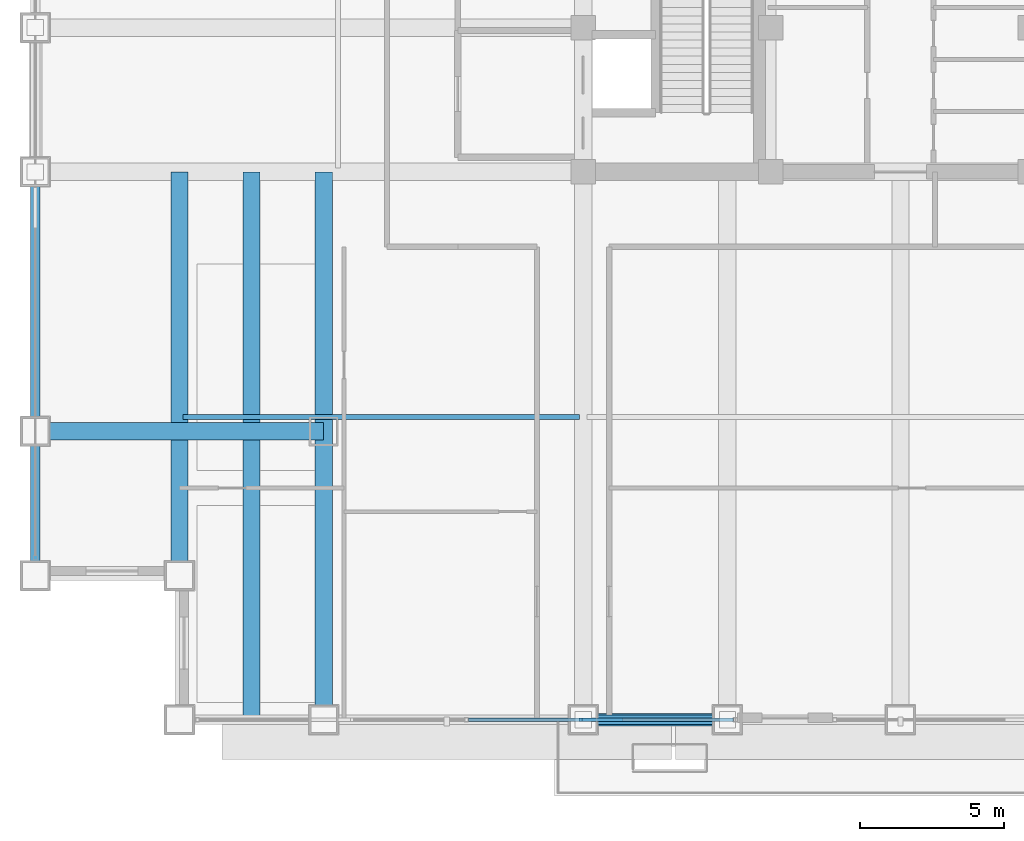
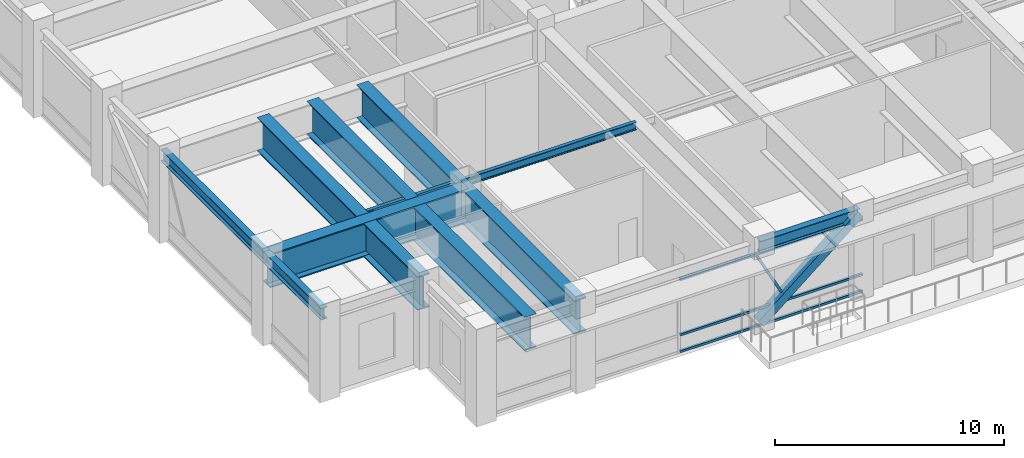
# One storey, part 3 of 33: 8 beams, 5 members, 1 element without a shape of its own.
"""IFC4 building model written with IfcOpenShell, lengths in metres."""

from ifc_helpers import new_model, si_unit, direction, frame, origin, origin_2d, place, context, subcontext, project, spatial, hollow_rectangle, i_section, extrude, source, transform, mapped, material, material_profile, profile_set, type_object, element, aggregate, save


model = new_model("IFC4")

# Units and contexts
model_context = context("Model", 3, precision=1e-05, world=origin(), true_north=direction((0.0, 1.0)))
body_context = subcontext(model_context, "Body", "Model", "MODEL_VIEW")
ifc_project = project(units=[si_unit("LENGTHUNIT", "METRE"), si_unit("AREAUNIT", "SQUARE_METRE"), si_unit("VOLUMEUNIT", "CUBIC_METRE"), si_unit("PLANEANGLEUNIT", "RADIAN"), si_unit("MASSUNIT", "GRAM", prefix="KILO")], contexts=[model_context])

# Site, building, storey
site_placement = place(None, origin())
site = spatial("IfcSite", under=ifc_project, at=site_placement, CompositionType="ELEMENT")
building_placement = place(site_placement, origin())
building = spatial("IfcBuilding", under=site, at=building_placement, Name="Khorayat Bourse Tower", CompositionType="ELEMENT")
storey_placement = place(building_placement, frame((0.0, 0.0, 263.10009765625)))
storey = spatial("IfcBuildingStorey", under=building, at=storey_placement, Name="L62", CompositionType="ELEMENT", Elevation=263.10009765625)

# Beams
ifc_material_1 = material(Name="Steel EN 10025-4 S460M", Category="steel")
ifc_material_profile_1 = material_profile(ifc_material_1, i_section(OverallWidth=0.60009765625, OverallDepth=1.800048828125, WebThickness=0.031982421875, FlangeThickness=0.06005859375, at=origin_2d()), Name="PG 1800x600x32x60")
ifc_profile_set_1 = profile_set([ifc_material_profile_1], Name="Steel EN 10025-4 S460M")
beam_type_1 = type_object("IfcBeamType", Name="BM-TR-1800", PredefinedType="BEAM", material=ifc_profile_set_1)
shared_shape_1 = source(origin(), body_context, "Body", "SweptSolid", [
    extrude(i_section(OverallWidth=0.60009765625, OverallDepth=1.800048828125, WebThickness=0.031982421875, FlangeThickness=0.06005859375, at=origin_2d()), origin(), (0.0, 0.0, 1.0), 14.0),
])
beam_1_placement = place(storey_placement, frame((-25.0, -25.0, 3.699951171875), z_axis=(0.0, 1.0, 0.0), x_axis=(-1.0, 0.0, 0.0)))
element("IfcBeam", 1, at=beam_1_placement, inside=storey, type_object=beam_type_1, Name="L62 BM-TR-1800 BM-L62-CNRY-092", PredefinedType="BEAM", context=body_context, shape_type="MappedRepresentation", body=[
    mapped(shared_shape_1, transform((0.0, 0.0, 0.0), scale=1.0)),
])
shared_shape_2 = source(origin(), body_context, "Body", "SweptSolid", [
    extrude(i_section(OverallWidth=0.60009765625, OverallDepth=1.800048828125, WebThickness=0.031982421875, FlangeThickness=0.06005859375, at=origin_2d()), origin(), (0.0, 0.0, 1.0), 10.0),
])
beam_2_placement = place(storey_placement, frame((-30.0, -20.0, 3.699951171875), z_axis=(1.0, 0.0, 0.0), x_axis=(0.0, 1.0, 0.0)))
element("IfcBeam", 2, at=beam_2_placement, inside=storey, type_object=beam_type_1, Name="L62 BM-TR-1800 BM-L62-CNRX-097", PredefinedType="BEAM", context=body_context, shape_type="MappedRepresentation", body=[
    mapped(shared_shape_2, transform((0.0, 0.0, 0.0), scale=1.0)),
])
ifc_material_2 = material(Name="Steel ASTM A992 Grade 50", Category="steel")
ifc_material_profile_2 = material_profile(ifc_material_2, i_section(OverallWidth=0.324951171875, OverallDepth=0.615966796875, WebThickness=0.013916015625, FlangeThickness=0.021484375, FilletRadius=0.01611328125, at=origin_2d()), Name="W610X174")
ifc_profile_set_2 = profile_set([ifc_material_profile_2], Name="Steel ASTM A992 Grade 50")
beam_type_2 = type_object("IfcBeamType", Name="BM-SPAN-610", PredefinedType="SPANDREL", material=ifc_profile_set_2)
shared_shape_3 = source(origin(), body_context, "Body", "SweptSolid", [
    extrude(i_section(OverallWidth=0.324951171875, OverallDepth=0.615966796875, WebThickness=0.013916015625, FlangeThickness=0.021484375, FilletRadius=0.01611328125, at=origin_2d()), origin(), (0.0, 0.0, 1.0), 9.0),
])
beam_3_placement = place(storey_placement, frame((-30.0, -20.0, 4.2919921875), z_axis=(0.0, 1.0, 0.0), x_axis=(-1.0, 0.0, 0.0)))
element("IfcBeam", 3, at=beam_3_placement, inside=storey, type_object=beam_type_2, Name="L62 BM-SPAN-610 BM-L62-SPN-060", PredefinedType="SPANDREL", context=body_context, shape_type="MappedRepresentation", body=[
    mapped(shared_shape_3, transform((0.0, 0.0, 0.0), scale=1.0)),
])
shared_shape_4 = source(origin(), body_context, "Body", "SweptSolid", [
    extrude(i_section(OverallWidth=0.324951171875, OverallDepth=0.615966796875, WebThickness=0.013916015625, FlangeThickness=0.021484375, FilletRadius=0.01611328125, at=origin_2d()), origin(), (0.0, 0.0, 1.0), 5.0),
])
for number, where, z_axis, x_axis, name in (
    (4, (-11.0, -30.0, 4.2919921875), (1.0, 0.0, 0.0), (0.0, 1.0, 0.0), "L62 BM-SPAN-610 BM-L62-SPN-026"),
    (5, (-30.0, -25.0, 4.2919921875), (0.0, 1.0, 0.0), (-1.0, 0.0, 0.0), "L62 BM-SPAN-610 BM-L62-SPN-061"),
):
    element("IfcBeam", number, at=place(storey_placement, frame(where, z_axis=z_axis, x_axis=x_axis)), inside=storey, type_object=beam_type_2, Name=name, PredefinedType="SPANDREL", context=body_context, shape_type="MappedRepresentation", body=[
        mapped(shared_shape_4, transform((0.0, 0.0, 0.0), scale=1.0)),
    ])
ifc_material_profile_3 = material_profile(ifc_material_2, i_section(OverallWidth=0.180908203125, OverallDepth=0.4169921875, WebThickness=0.010986328125, FlangeThickness=0.018310546875, FilletRadius=0.011962890625, at=origin_2d()), Name="W410X85")
ifc_profile_set_3 = profile_set([ifc_material_profile_3], Name="Steel ASTM A992 Grade 50")
beam_type_3 = type_object("IfcBeamType", Name="BM-JOIST-410", PredefinedType="JOIST", material=ifc_profile_set_3)
shared_shape_5 = source(origin(), body_context, "Body", "SweptSolid", [
    extrude(i_section(OverallWidth=0.180908203125, OverallDepth=0.4169921875, WebThickness=0.010986328125, FlangeThickness=0.018310546875, FilletRadius=0.011962890625, at=origin_2d()), origin(), (0.0, 0.0, 1.0), 13.740234375),
])
beam_4_placement = place(storey_placement, frame((-24.8701171875, -19.5, 4.391357421875), z_axis=(1.0, 0.0, 0.0), x_axis=(0.0, 1.0, 0.0)))
element("IfcBeam", 6, at=beam_4_placement, inside=storey, type_object=beam_type_3, Name="L62 BM-JOIST-410 BM-L62-JSTX-104", PredefinedType="JOIST", context=body_context, shape_type="MappedRepresentation", body=[
    mapped(shared_shape_5, transform((0.0, 0.0, 0.0), scale=1.0)),
])
shared_shape_6 = source(origin(), body_context, "Body", "SweptSolid", [
    extrude(i_section(OverallWidth=0.60009765625, OverallDepth=1.800048828125, WebThickness=0.031982421875, FlangeThickness=0.06005859375, at=origin_2d()), origin(), (0.0, 0.0, 1.0), 19.0),
])
for number, where, z_axis, x_axis, name in (
    (7, (-20.0, -30.0, 3.699951171875), (0.0, 1.0, 0.0), (-1.0, 0.0, 0.0), "L62 BM-TR-1800 BM-L62-CNRY-084"),
    (8, (-22.5, -30.0, 3.699951171875), (0.0, 1.0, 0.0), (-1.0, 0.0, 0.0), "L62 BM-TR-1800 BM-L62-CNRY-088"),
):
    element("IfcBeam", number, at=place(storey_placement, frame(where, z_axis=z_axis, x_axis=x_axis)), inside=storey, type_object=beam_type_1, Name=name, PredefinedType="BEAM", context=body_context, shape_type="MappedRepresentation", body=[
        mapped(shared_shape_6, transform((0.0, 0.0, 0.0), scale=1.0)),
    ])

# Member
ifc_material_profile_4 = material_profile(ifc_material_1, hollow_rectangle(XDim=0.449951171875, YDim=0.449951171875, WallThickness=0.02490234375, at=origin_2d()), Name="HSS 450x450x25")
ifc_profile_set_4 = profile_set([ifc_material_profile_4], Name="Steel EN 10025-4 S460M")
member_type_1 = type_object("IfcMemberType", Name="MBR-TUBE-450", PredefinedType="BRACE", material=ifc_profile_set_4)
shared_shape_7 = source(origin(), body_context, "Body", "SweptSolid", [
    extrude(hollow_rectangle(XDim=0.449951171875, YDim=0.449951171875, WallThickness=0.02490234375, at=origin_2d()), origin(), (0.0, 0.0, 1.0), 6.466064453125),
])
member_1_placement = place(storey_placement, frame((-11.0, -30.0, 0.25), z_axis=(0.773278898257, 0.0, 0.634066041916), x_axis=(0.0, 1.0, 0.0)))
element("IfcMember", 9, at=member_1_placement, inside=storey, type_object=member_type_1, Name="L62 Perimeter Tube Brace 01", PredefinedType="BRACE", context=body_context, shape_type="MappedRepresentation", body=[
    mapped(shared_shape_7, transform((0.0, 0.0, 0.0), scale=1.0)),
])

# Curtain wall, members
ifc_material_3 = material(Name="Aluminium EN AW-6063 T6", Category="aluminium")
curtain_wall_type = type_object("IfcCurtainWallType", Name="CW-SYS-05", PredefinedType="NOTDEFINED", material=ifc_material_3)
curtain_wall_placement = place(storey_placement, origin())
curtain_wall = element("IfcCurtainWall", 10, at=curtain_wall_placement, inside=storey, type_object=curtain_wall_type, Name="L62 Curtain Wall CW-L62-S1", PredefinedType="NOTDEFINED")
ifc_material_profile_5 = material_profile(ifc_material_3, hollow_rectangle(XDim=0.1201171875, YDim=0.1201171875, WallThickness=0.0048828125, at=origin_2d()), Name="ALU 120x120x5")
ifc_profile_set_5 = profile_set([ifc_material_profile_5], Name="Aluminium EN AW-6063 T6")
member_type_2 = type_object("IfcMemberType", Name="CWT-HORZ-120", PredefinedType="USERDEFINED", material=ifc_profile_set_5)
shared_shape_8 = source(origin(), body_context, "Body", "SweptSolid", [
    extrude(hollow_rectangle(XDim=0.1201171875, YDim=0.1201171875, WallThickness=0.0048828125, at=origin_2d()), origin(), (0.0, 0.0, 1.0), 9.18994140625),
])
member_2_placement = place(storey_placement, frame((-14.97998046875, -30.0, 0.059814453125), z_axis=(1.0, 0.0, 0.0), x_axis=(0.0, 1.0, 0.0)))
member_2 = element("IfcMember", 11, at=member_2_placement, type_object=member_type_2, Name="CW-L62-S1 Horizontal Transom 2-1", ObjectType="TRANSOM", PredefinedType="USERDEFINED", context=body_context, shape_type="MappedRepresentation", body=[
    mapped(shared_shape_8, transform((0.0, 0.0, 0.0), scale=1.0)),
])
member_3_placement = place(storey_placement, frame((-14.97998046875, -30.0, 0.949951171875), z_axis=(1.0, 0.0, 0.0), x_axis=(0.0, 1.0, 0.0)))
member_3 = element("IfcMember", 12, at=member_3_placement, type_object=member_type_2, Name="CW-L62-S1 Horizontal Transom 2-2", ObjectType="TRANSOM", PredefinedType="USERDEFINED", context=body_context, shape_type="MappedRepresentation", body=[
    mapped(shared_shape_8, transform((0.0, 0.0, 0.0), scale=1.0)),
])
member_4_placement = place(storey_placement, frame((-14.97998046875, -30.0, 3.889892578125), z_axis=(1.0, 0.0, 0.0), x_axis=(0.0, 1.0, 0.0)))
member_4 = element("IfcMember", 13, at=member_4_placement, type_object=member_type_2, Name="CW-L62-S1 Horizontal Transom 2-3", ObjectType="TRANSOM", PredefinedType="USERDEFINED", context=body_context, shape_type="MappedRepresentation", body=[
    mapped(shared_shape_8, transform((0.0, 0.0, 0.0), scale=1.0)),
])
ifc_material_profile_6 = material_profile(ifc_material_3, hollow_rectangle(XDim=0.1201171875, YDim=0.1201171875, WallThickness=0.0048828125, at=origin_2d()), Name="ALU 120x120x5")
ifc_profile_set_6 = profile_set([ifc_material_profile_6], Name="Aluminium EN AW-6063 T6")
member_type_3 = type_object("IfcMemberType", Name="CWM-DIAG-120", PredefinedType="MULLION", material=ifc_profile_set_6)
shared_shape_9 = source(origin(), body_context, "Body", "SweptSolid", [
    extrude(hollow_rectangle(XDim=0.1201171875, YDim=0.1201171875, WallThickness=0.0048828125, at=origin_2d()), origin(), (0.0, 0.0, 1.0), 3.006103515625),
])
member_5_placement = place(storey_placement, frame((-9.68505859375, -30.0, 1.08984375), z_axis=(-0.465699569312, 0.0, 0.884942885808), x_axis=(0.0, -1.0, 0.0)))
member_5 = element("IfcMember", 14, at=member_5_placement, type_object=member_type_3, Name="CW-L62-S1 Faceted Diagonal Mullion 2", PredefinedType="MULLION", context=body_context, shape_type="MappedRepresentation", body=[
    mapped(shared_shape_9, transform((0.0, 0.0, 0.0), scale=1.0)),
])
aggregate(curtain_wall, [member_2, member_3, member_4, member_5])

save(model, "model.ifc")
